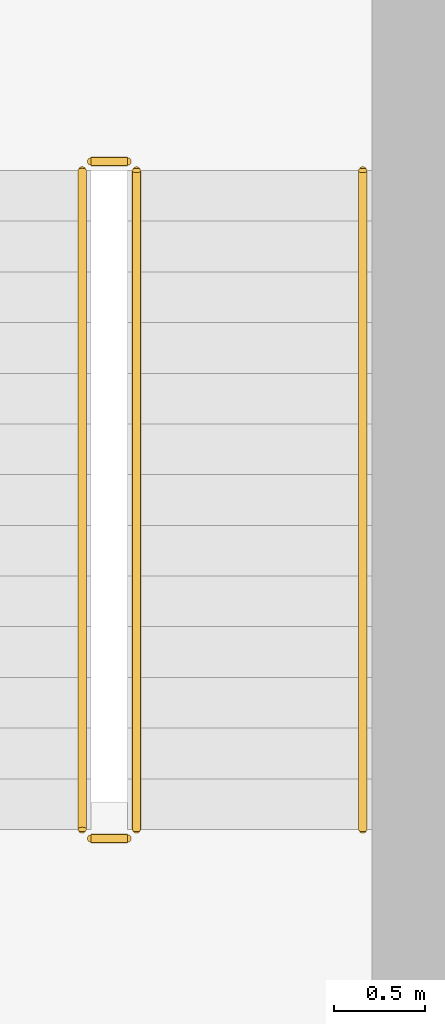
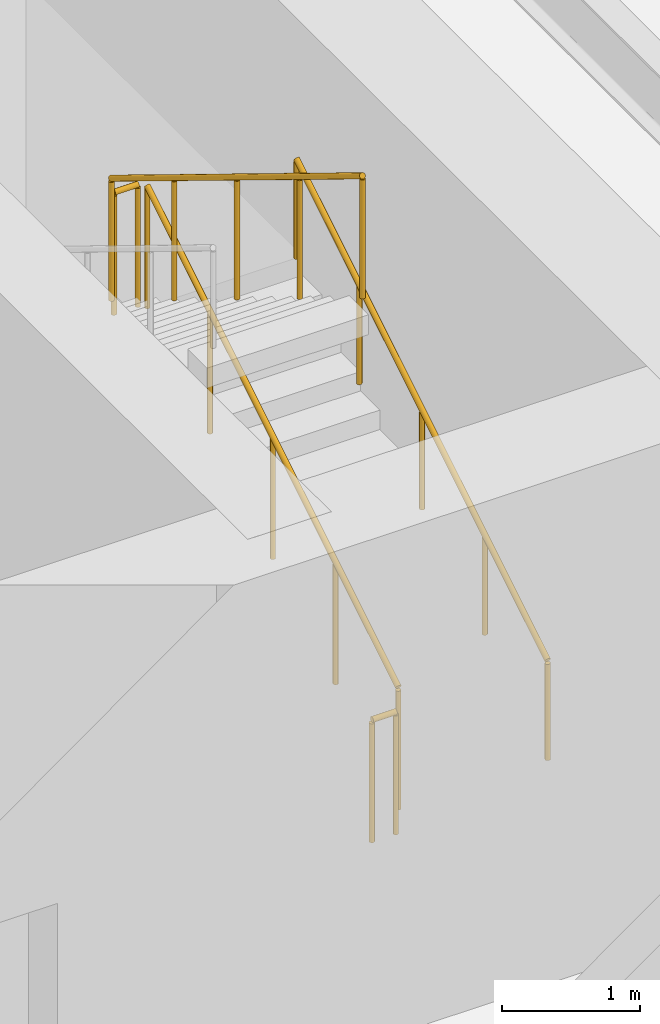
# One storey, part 13 of 13: 5 railings.
"""IFC4 building model written with IfcOpenShell, lengths in metres."""

from ifc_helpers import new_model, si_unit, direction, frame, origin, origin_2d, place, context, subcontext, project, spatial, circle, extrude, material, type_object, element, save


model = new_model("IFC4")

# Units and contexts
model_context = context("Model", 3, precision=1e-05, world=origin(), true_north=direction((0.0, 1.0)))
body_context = subcontext(model_context, "Body", "Model", "MODEL_VIEW")
ifc_project = project(units=[si_unit("LENGTHUNIT", "METRE"), si_unit("AREAUNIT", "SQUARE_METRE"), si_unit("VOLUMEUNIT", "CUBIC_METRE"), si_unit("PLANEANGLEUNIT", "RADIAN"), si_unit("MASSUNIT", "GRAM", prefix="KILO")], contexts=[model_context])

# Site, building, storey
site_placement = place(None, origin())
site = spatial("IfcSite", under=ifc_project, at=site_placement, CompositionType="ELEMENT")
building_placement = place(site_placement, origin())
building = spatial("IfcBuilding", under=site, at=building_placement, Name="Caelmar Bay Residences", CompositionType="ELEMENT")
storey_placement = place(building_placement, frame((0.0, 0.0, 19.800048828125)))
storey = spatial("IfcBuildingStorey", under=building, at=storey_placement, Name="L04", CompositionType="ELEMENT", Elevation=19.800048828125)

# Railings
ifc_material_1 = material(Name="Painted galvanized steel stair guard 1100 mm", Category="steel")
railing_type_1 = type_object("IfcRailingType", Name="RL-GRD-1100", PredefinedType="GUARDRAIL", material=ifc_material_1)
railing_1_placement = place(storey_placement, frame((57.85009765625, 38.699951171875, 0.17138671875)))
element("IfcRailing", 1, at=railing_1_placement, inside=storey, type_object=railing_type_1, Name="L04 ST2 stair guard 1", PredefinedType="GUARDRAIL", context=body_context, shape_type="SweptSolid", body=[
    extrude(circle(Radius=0.02392578125, at=origin_2d()), frame((0.0, 0.0, 1.076171875), z_axis=(0.0, 0.852865859571, 0.52213008492), x_axis=(-1.0, 0.0, 0.0)), (0.0, 0.0, 1.0), 4.26806640625),
    extrude(circle(Radius=0.02099609375, at=origin_2d()), origin(), (0.0, 0.0, 1.0), 1.052001953125),
    extrude(circle(Radius=0.02099609375, at=origin_2d()), frame((0.0, 0.91015625, 0.55712890625)), (0.0, 0.0, 1.0), 1.052001953125),
    extrude(circle(Radius=0.02099609375, at=origin_2d()), frame((0.0, 1.820068359375, 1.1142578125)), (0.0, 0.0, 1.0), 1.052001953125),
    extrude(circle(Radius=0.02099609375, at=origin_2d()), frame((0.0, 2.72998046875, 1.67138671875)), (0.0, 0.0, 1.0), 1.052001953125),
    extrude(circle(Radius=0.02099609375, at=origin_2d()), frame((0.0, 3.64013671875, 2.228515625)), (0.0, 0.0, 1.0), 1.052001953125),
])
railing_2_placement = place(storey_placement, frame((57.800048828125, 42.389892578125, 2.39990234375)))
element("IfcRailing", 2, at=railing_2_placement, inside=storey, type_object=railing_type_1, Name="L04 ST2 stair guard 2", PredefinedType="GUARDRAIL", context=body_context, shape_type="SweptSolid", body=[
    extrude(circle(Radius=0.02392578125, at=origin_2d()), frame((0.0, 0.0, 1.076171875), z_axis=(-1.0, 0.0, 0.0), x_axis=(0.0, -1.0, 0.0)), (0.0, 0.0, 1.0), 0.199951171875),
    extrude(circle(Radius=0.02099609375, at=origin_2d()), origin(), (0.0, 0.0, 1.0), 1.052001953125),
    extrude(circle(Radius=0.02099609375, at=origin_2d()), frame((-0.199951171875, 0.0, 0.0)), (0.0, 0.0, 1.0), 1.052001953125),
])
railing_3_placement = place(storey_placement, frame((57.550048828125, 42.340087890625, 2.5712890625)))
element("IfcRailing", 3, at=railing_3_placement, inside=storey, type_object=railing_type_1, Name="L04 ST2 stair guard 3", PredefinedType="GUARDRAIL", context=body_context, shape_type="SweptSolid", body=[
    extrude(circle(Radius=0.02392578125, at=origin_2d()), frame((0.0, 0.0, 1.076171875), z_axis=(0.0, -0.852840387347, 0.522171689878), x_axis=(1.0, 0.0, 0.0)), (0.0, 0.0, 1.0), 4.268310546875),
    extrude(circle(Radius=0.02099609375, at=origin_2d()), origin(), (0.0, 0.0, 1.0), 1.052001953125),
    extrude(circle(Radius=0.02099609375, at=origin_2d()), frame((0.0, -0.91015625, 0.55712890625)), (0.0, 0.0, 1.0), 1.052001953125),
    extrude(circle(Radius=0.02099609375, at=origin_2d()), frame((0.0, -1.820068359375, 1.1142578125)), (0.0, 0.0, 1.0), 1.052001953125),
    extrude(circle(Radius=0.02099609375, at=origin_2d()), frame((0.0, -2.72998046875, 1.671630859375)), (0.0, 0.0, 1.0), 1.052001953125),
    extrude(circle(Radius=0.02099609375, at=origin_2d()), frame((0.0, -3.64013671875, 2.228759765625)), (0.0, 0.0, 1.0), 1.052001953125),
])
railing_4_placement = place(storey_placement, frame((57.800048828125, 38.64990234375, 0.0)))
element("IfcRailing", 4, at=railing_4_placement, inside=storey, type_object=railing_type_1, Name="L04 ST2 stair guard 4", PredefinedType="GUARDRAIL", context=body_context, shape_type="SweptSolid", body=[
    extrude(circle(Radius=0.02392578125, at=origin_2d()), frame((0.0, 0.0, 1.076171875), z_axis=(-1.0, 0.0, 0.0), x_axis=(0.0, -1.0, 0.0)), (0.0, 0.0, 1.0), 0.199951171875),
    extrude(circle(Radius=0.02099609375, at=origin_2d()), origin(), (0.0, 0.0, 1.0), 1.052001953125),
    extrude(circle(Radius=0.02099609375, at=origin_2d()), frame((-0.199951171875, 0.0, 0.0)), (0.0, 0.0, 1.0), 1.052001953125),
])
ifc_material_2 = material(Name="Brushed bronze stainless-steel tubular handrail 900 mm", Category="steel")
railing_type_2 = type_object("IfcRailingType", Name="RL-HND-900", PredefinedType="HANDRAIL", material=ifc_material_2)
railing_5_placement = place(storey_placement, frame((59.10009765625, 38.699951171875, 0.17138671875)))
element("IfcRailing", 5, at=railing_5_placement, inside=storey, type_object=railing_type_2, Name="L04 ST2 stair handrail 1", PredefinedType="HANDRAIL", context=body_context, shape_type="SweptSolid", body=[
    extrude(circle(Radius=0.02392578125, at=origin_2d()), frame((0.0, 0.0, 0.8759765625), z_axis=(0.0, 0.852865859571, 0.52213008492), x_axis=(-1.0, 0.0, 0.0)), (0.0, 0.0, 1.0), 4.26806640625),
    extrude(circle(Radius=0.02099609375, at=origin_2d()), origin(), (0.0, 0.0, 1.0), 0.851806640625),
    extrude(circle(Radius=0.02099609375, at=origin_2d()), frame((0.0, 0.91015625, 0.55712890625)), (0.0, 0.0, 1.0), 0.851806640625),
    extrude(circle(Radius=0.02099609375, at=origin_2d()), frame((0.0, 1.820068359375, 1.1142578125)), (0.0, 0.0, 1.0), 0.851806640625),
    extrude(circle(Radius=0.02099609375, at=origin_2d()), frame((0.0, 2.72998046875, 1.67138671875)), (0.0, 0.0, 1.0), 0.851806640625),
    extrude(circle(Radius=0.02099609375, at=origin_2d()), frame((0.0, 3.64013671875, 2.228515625)), (0.0, 0.0, 1.0), 0.851806640625),
])

save(model, "model.ifc")
